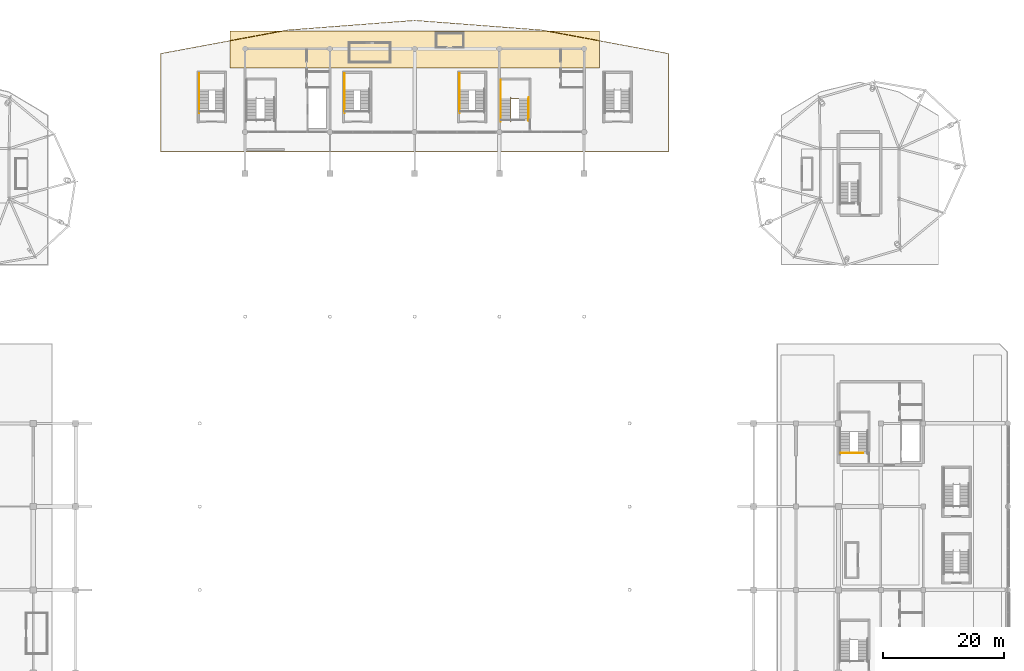
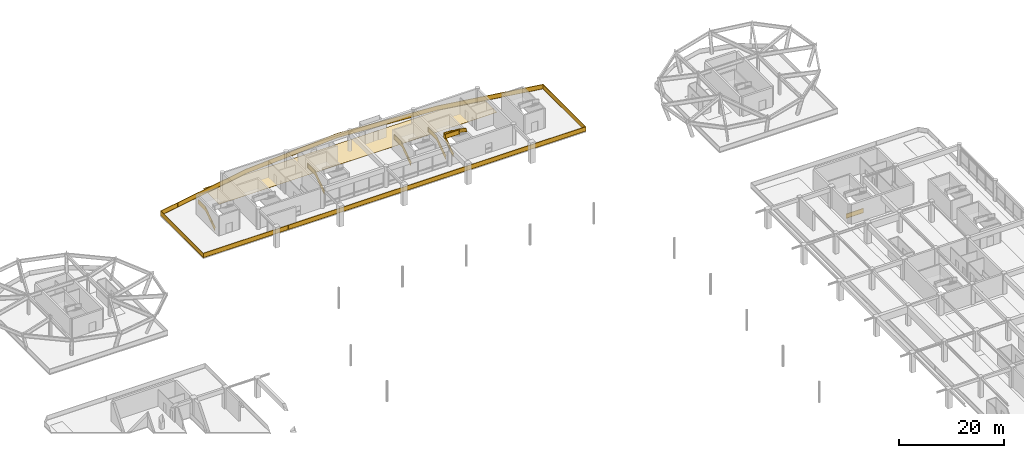
# One storey, part 89 of 91: 8 railings, 1 covering.
"""IFC4 building model written with IfcOpenShell, lengths in metres."""

from ifc_helpers import new_model, si_unit, direction, frame, origin, origin_2d, place, context, subcontext, project, spatial, polyline, rectangle, outline, extrude, material, layer, layer_set, type_object, element, save


model = new_model("IFC4")

# Units and contexts
model_context = context("Model", 3, precision=1e-05, world=origin(), true_north=direction((0.0, 1.0)))
body_context = subcontext(model_context, "Body", "Model", "MODEL_VIEW")
ifc_project = project(units=[si_unit("LENGTHUNIT", "METRE"), si_unit("AREAUNIT", "SQUARE_METRE"), si_unit("VOLUMEUNIT", "CUBIC_METRE"), si_unit("PLANEANGLEUNIT", "RADIAN"), si_unit("MASSUNIT", "GRAM", prefix="KILO")], contexts=[model_context])

# Site, building, storey
site_placement = place(None, origin())
site = spatial("IfcSite", under=ifc_project, at=site_placement, CompositionType="ELEMENT")
building_placement = place(site_placement, origin())
building = spatial("IfcBuilding", under=site, at=building_placement, Name="Linyun Crest Stadium", CompositionType="ELEMENT")
storey_placement = place(building_placement, frame((0.0, 0.0, 11.39990234375)))
storey = spatial("IfcBuildingStorey", under=building, at=storey_placement, Name="L03", CompositionType="ELEMENT", Elevation=11.39990234375)

# Covering
ifc_material_1 = material(Name="Terrazzo concourse and hospitality floor finish")
ifc_layer = layer(ifc_material_1, 0.02197265625)
ifc_layer_set = layer_set([ifc_layer], Name="Terrazzo concourse and hospitality floor finish")
covering_type = type_object("IfcCoveringType", Name="FLR02", PredefinedType="FLOORING", material=ifc_layer_set)
covering_placement = place(storey_placement, origin())
element("IfcCovering", 1, at=covering_placement, inside=storey, type_object=covering_type, Name="Terrazzo flooring FLR02 36", PredefinedType="FLOORING", context=body_context, shape_type="SweptSolid", body=[
    extrude(outline(polyline([(-30.5, 102.10009765625), (30.5, 102.10009765625), (30.5, 108.199951171875), (-30.5, 108.199951171875), (-30.5, 102.10009765625)])), origin(), (0.0, 0.0, 1.0), 0.022216796875),
])

# Railings
ifc_material_2 = material(Name="Galvanized and powder-coated steel bowl safety barrier", Category="steel")
railing_type_1 = type_object("IfcRailingType", Name="GR02", PredefinedType="GUARDRAIL", material=ifc_material_2)
railing_1_placement = place(storey_placement, frame((70.364990234375, 38.4599609375, 0.0)))
element("IfcRailing", 2, at=railing_1_placement, inside=storey, type_object=railing_type_1, Name="Slab edge balustrade GR02 154", PredefinedType="GUARDRAIL", context=body_context, shape_type="SweptSolid", body=[
    extrude(rectangle(XDim=0.06005859375, YDim=0.06005859375, at=origin_2d()), frame((0.0, 0.0, 1.090087890625), z_axis=(1.0, 0.0, 0.0), x_axis=(0.0, 1.0, 0.0)), (0.0, 0.0, 1.0), 3.735107421875),
    extrude(rectangle(XDim=0.030029296875, YDim=1.0, at=origin_2d()), frame((0.0, 0.0, 0.56005859375), z_axis=(1.0, 0.0, 0.0), x_axis=(0.0, 1.0, 0.0)), (0.0, 0.0, 1.0), 3.735107421875),
    extrude(rectangle(XDim=0.06005859375, YDim=0.06005859375, at=origin_2d()), frame((0.0, 0.0, 0.030029296875), z_axis=(1.0, 0.0, 0.0), x_axis=(0.0, 1.0, 0.0)), (0.0, 0.0, 1.0), 3.735107421875),
    extrude(rectangle(XDim=0.050048828125, YDim=0.050048828125, at=origin_2d()), origin(), (0.0, 0.0, 1.0), 1.1201171875),
    extrude(rectangle(XDim=0.050048828125, YDim=0.050048828125, at=origin_2d()), frame((3.735107421875, 0.0, 0.0)), (0.0, 0.0, 1.0), 1.1201171875),
])
railing_2_placement = place(storey_placement, frame((-41.93994140625, 88.260009765625, 0.0)))
element("IfcRailing", 3, at=railing_2_placement, inside=storey, type_object=railing_type_1, Name="Slab edge balustrade GR02 205", PredefinedType="GUARDRAIL", context=body_context, shape_type="SweptSolid", body=[
    extrude(rectangle(XDim=0.06005859375, YDim=0.06005859375, at=origin_2d()), frame((0.0, 0.0, 1.090087890625), z_axis=(0.0, 1.0, 0.0), x_axis=(-1.0, 0.0, 0.0)), (0.0, 0.0, 1.0), 16.18994140625),
    extrude(rectangle(XDim=0.030029296875, YDim=1.0, at=origin_2d()), frame((0.0, 0.0, 0.56005859375), z_axis=(0.0, 1.0, 0.0), x_axis=(-1.0, 0.0, 0.0)), (0.0, 0.0, 1.0), 16.18994140625),
    extrude(rectangle(XDim=0.06005859375, YDim=0.06005859375, at=origin_2d()), frame((0.0, 0.0, 0.030029296875), z_axis=(0.0, 1.0, 0.0), x_axis=(-1.0, 0.0, 0.0)), (0.0, 0.0, 1.0), 16.18994140625),
    extrude(rectangle(XDim=0.06005859375, YDim=0.06005859375, at=origin_2d()), frame((0.0, 16.18994140625, 1.090087890625), z_axis=(0.983190469869, 0.182582857789, 0.0), x_axis=(-0.182582857789, 0.983190469869, 0.0)), (0.0, 0.0, 1.0), 21.30615234375),
    extrude(rectangle(XDim=0.030029296875, YDim=1.0, at=origin_2d()), frame((0.0, 16.18994140625, 0.56005859375), z_axis=(0.983190469869, 0.182582857789, 0.0), x_axis=(-0.182582857789, 0.983190469869, 0.0)), (0.0, 0.0, 1.0), 21.30615234375),
    extrude(rectangle(XDim=0.06005859375, YDim=0.06005859375, at=origin_2d()), frame((0.0, 16.18994140625, 0.030029296875), z_axis=(0.983190469869, 0.182582857789, 0.0), x_axis=(-0.182582857789, 0.983190469869, 0.0)), (0.0, 0.0, 1.0), 21.30615234375),
    extrude(rectangle(XDim=0.06005859375, YDim=0.06005859375, at=origin_2d()), frame((20.947998046875, 20.080078125, 1.090087890625), z_axis=(0.997108399711, 0.075992362947, 0.0), x_axis=(-0.075992362947, 0.997108399711, 0.0)), (0.0, 0.0, 1.0), 21.052734375),
    extrude(rectangle(XDim=0.030029296875, YDim=1.0, at=origin_2d()), frame((20.947998046875, 20.080078125, 0.56005859375), z_axis=(0.997108399711, 0.075992362947, 0.0), x_axis=(-0.075992362947, 0.997108399711, 0.0)), (0.0, 0.0, 1.0), 21.052734375),
    extrude(rectangle(XDim=0.06005859375, YDim=0.06005859375, at=origin_2d()), frame((20.947998046875, 20.080078125, 0.030029296875), z_axis=(0.997108399711, 0.075992362947, 0.0), x_axis=(-0.075992362947, 0.997108399711, 0.0)), (0.0, 0.0, 1.0), 21.052734375),
    extrude(rectangle(XDim=0.06005859375, YDim=0.06005859375, at=origin_2d()), frame((41.93994140625, 21.679931640625, 1.090087890625), z_axis=(0.997108399711, -0.075992362947, 0.0), x_axis=(0.075992362947, 0.997108399711, 0.0)), (0.0, 0.0, 1.0), 21.052734375),
    extrude(rectangle(XDim=0.030029296875, YDim=1.0, at=origin_2d()), frame((41.93994140625, 21.679931640625, 0.56005859375), z_axis=(0.997108399711, -0.075992362947, 0.0), x_axis=(0.075992362947, 0.997108399711, 0.0)), (0.0, 0.0, 1.0), 21.052734375),
    extrude(rectangle(XDim=0.06005859375, YDim=0.06005859375, at=origin_2d()), frame((41.93994140625, 21.679931640625, 0.030029296875), z_axis=(0.997108399711, -0.075992362947, 0.0), x_axis=(0.075992362947, 0.997108399711, 0.0)), (0.0, 0.0, 1.0), 21.052734375),
    extrude(rectangle(XDim=0.06005859375, YDim=0.06005859375, at=origin_2d()), frame((62.931884765625, 20.080078125, 1.090087890625), z_axis=(0.983190469869, -0.182582857789, 0.0), x_axis=(0.182582857789, 0.983190469869, 0.0)), (0.0, 0.0, 1.0), 21.30615234375),
    extrude(rectangle(XDim=0.030029296875, YDim=1.0, at=origin_2d()), frame((62.931884765625, 20.080078125, 0.56005859375), z_axis=(0.983190469869, -0.182582857789, 0.0), x_axis=(0.182582857789, 0.983190469869, 0.0)), (0.0, 0.0, 1.0), 21.30615234375),
    extrude(rectangle(XDim=0.06005859375, YDim=0.06005859375, at=origin_2d()), frame((62.931884765625, 20.080078125, 0.030029296875), z_axis=(0.983190469869, -0.182582857789, 0.0), x_axis=(0.182582857789, 0.983190469869, 0.0)), (0.0, 0.0, 1.0), 21.30615234375),
    extrude(rectangle(XDim=0.06005859375, YDim=0.06005859375, at=origin_2d()), frame((83.8798828125, 16.18994140625, 1.090087890625), z_axis=(0.0, -1.0, 0.0), x_axis=(1.0, 0.0, 0.0)), (0.0, 0.0, 1.0), 16.18994140625),
    extrude(rectangle(XDim=0.030029296875, YDim=1.0, at=origin_2d()), frame((83.8798828125, 16.18994140625, 0.56005859375), z_axis=(0.0, -1.0, 0.0), x_axis=(1.0, 0.0, 0.0)), (0.0, 0.0, 1.0), 16.18994140625),
    extrude(rectangle(XDim=0.06005859375, YDim=0.06005859375, at=origin_2d()), frame((83.8798828125, 16.18994140625, 0.030029296875), z_axis=(0.0, -1.0, 0.0), x_axis=(1.0, 0.0, 0.0)), (0.0, 0.0, 1.0), 16.18994140625),
    extrude(rectangle(XDim=0.06005859375, YDim=0.06005859375, at=origin_2d()), frame((83.8798828125, 0.0, 1.090087890625), z_axis=(-1.0, 0.0, 0.0), x_axis=(0.0, -1.0, 0.0)), (0.0, 0.0, 1.0), 83.8798828125),
    extrude(rectangle(XDim=0.030029296875, YDim=1.0, at=origin_2d()), frame((83.8798828125, 0.0, 0.56005859375), z_axis=(-1.0, 0.0, 0.0), x_axis=(0.0, -1.0, 0.0)), (0.0, 0.0, 1.0), 83.8798828125),
    extrude(rectangle(XDim=0.06005859375, YDim=0.06005859375, at=origin_2d()), frame((83.8798828125, 0.0, 0.030029296875), z_axis=(-1.0, 0.0, 0.0), x_axis=(0.0, -1.0, 0.0)), (0.0, 0.0, 1.0), 83.8798828125),
    extrude(rectangle(XDim=0.050048828125, YDim=0.050048828125, at=origin_2d()), origin(), (0.0, 0.0, 1.0), 1.1201171875),
    extrude(rectangle(XDim=0.050048828125, YDim=0.050048828125, at=origin_2d()), frame((0.0, 4.04736328125, 0.0)), (0.0, 0.0, 1.0), 1.1201171875),
    extrude(rectangle(XDim=0.050048828125, YDim=0.050048828125, at=origin_2d()), frame((0.0, 8.094970703125, 0.0)), (0.0, 0.0, 1.0), 1.1201171875),
    extrude(rectangle(XDim=0.050048828125, YDim=0.050048828125, at=origin_2d()), frame((0.0, 12.142578125, 0.0)), (0.0, 0.0, 1.0), 1.1201171875),
    extrude(rectangle(XDim=0.050048828125, YDim=0.050048828125, at=origin_2d()), frame((0.0, 16.18994140625, 0.0)), (0.0, 0.0, 1.0), 1.1201171875),
    extrude(rectangle(XDim=0.050048828125, YDim=0.050048828125, at=origin_2d()), frame((4.189697265625, 16.968017578125, 0.0)), (0.0, 0.0, 1.0), 1.1201171875),
    extrude(rectangle(XDim=0.050048828125, YDim=0.050048828125, at=origin_2d()), frame((8.379150390625, 17.74609375, 0.0)), (0.0, 0.0, 1.0), 1.1201171875),
    extrude(rectangle(XDim=0.050048828125, YDim=0.050048828125, at=origin_2d()), frame((12.56884765625, 18.52392578125, 0.0)), (0.0, 0.0, 1.0), 1.1201171875),
    extrude(rectangle(XDim=0.050048828125, YDim=0.050048828125, at=origin_2d()), frame((16.75830078125, 19.302001953125, 0.0)), (0.0, 0.0, 1.0), 1.1201171875),
    extrude(rectangle(XDim=0.050048828125, YDim=0.050048828125, at=origin_2d()), frame((20.947998046875, 20.080078125, 0.0)), (0.0, 0.0, 1.0), 1.1201171875),
    extrude(rectangle(XDim=0.050048828125, YDim=0.050048828125, at=origin_2d()), frame((25.146484375, 20.400146484375, 0.0)), (0.0, 0.0, 1.0), 1.1201171875),
    extrude(rectangle(XDim=0.050048828125, YDim=0.050048828125, at=origin_2d()), frame((29.3447265625, 20.719970703125, 0.0)), (0.0, 0.0, 1.0), 1.1201171875),
    extrude(rectangle(XDim=0.050048828125, YDim=0.050048828125, at=origin_2d()), frame((33.543212890625, 21.0400390625, 0.0)), (0.0, 0.0, 1.0), 1.1201171875),
    extrude(rectangle(XDim=0.050048828125, YDim=0.050048828125, at=origin_2d()), frame((37.741455078125, 21.35986328125, 0.0)), (0.0, 0.0, 1.0), 1.1201171875),
    extrude(rectangle(XDim=0.050048828125, YDim=0.050048828125, at=origin_2d()), frame((41.93994140625, 21.679931640625, 0.0)), (0.0, 0.0, 1.0), 1.1201171875),
    extrude(rectangle(XDim=0.050048828125, YDim=0.050048828125, at=origin_2d()), frame((46.138427734375, 21.35986328125, 0.0)), (0.0, 0.0, 1.0), 1.1201171875),
    extrude(rectangle(XDim=0.050048828125, YDim=0.050048828125, at=origin_2d()), frame((50.336669921875, 21.0400390625, 0.0)), (0.0, 0.0, 1.0), 1.1201171875),
    extrude(rectangle(XDim=0.050048828125, YDim=0.050048828125, at=origin_2d()), frame((54.53515625, 20.719970703125, 0.0)), (0.0, 0.0, 1.0), 1.1201171875),
    extrude(rectangle(XDim=0.050048828125, YDim=0.050048828125, at=origin_2d()), frame((58.7333984375, 20.400146484375, 0.0)), (0.0, 0.0, 1.0), 1.1201171875),
    extrude(rectangle(XDim=0.050048828125, YDim=0.050048828125, at=origin_2d()), frame((62.931884765625, 20.080078125, 0.0)), (0.0, 0.0, 1.0), 1.1201171875),
    extrude(rectangle(XDim=0.050048828125, YDim=0.050048828125, at=origin_2d()), frame((67.12158203125, 19.302001953125, 0.0)), (0.0, 0.0, 1.0), 1.1201171875),
    extrude(rectangle(XDim=0.050048828125, YDim=0.050048828125, at=origin_2d()), frame((71.31103515625, 18.52392578125, 0.0)), (0.0, 0.0, 1.0), 1.1201171875),
    extrude(rectangle(XDim=0.050048828125, YDim=0.050048828125, at=origin_2d()), frame((75.500732421875, 17.74609375, 0.0)), (0.0, 0.0, 1.0), 1.1201171875),
    extrude(rectangle(XDim=0.050048828125, YDim=0.050048828125, at=origin_2d()), frame((79.690185546875, 16.968017578125, 0.0)), (0.0, 0.0, 1.0), 1.1201171875),
    extrude(rectangle(XDim=0.050048828125, YDim=0.050048828125, at=origin_2d()), frame((83.8798828125, 16.18994140625, 0.0)), (0.0, 0.0, 1.0), 1.1201171875),
    extrude(rectangle(XDim=0.050048828125, YDim=0.050048828125, at=origin_2d()), frame((83.8798828125, 12.142578125, 0.0)), (0.0, 0.0, 1.0), 1.1201171875),
    extrude(rectangle(XDim=0.050048828125, YDim=0.050048828125, at=origin_2d()), frame((83.8798828125, 8.094970703125, 0.0)), (0.0, 0.0, 1.0), 1.1201171875),
    extrude(rectangle(XDim=0.050048828125, YDim=0.050048828125, at=origin_2d()), frame((83.8798828125, 4.04736328125, 0.0)), (0.0, 0.0, 1.0), 1.1201171875),
    extrude(rectangle(XDim=0.050048828125, YDim=0.050048828125, at=origin_2d()), frame((83.8798828125, 0.0, 0.0)), (0.0, 0.0, 1.0), 1.1201171875),
    extrude(rectangle(XDim=0.050048828125, YDim=0.050048828125, at=origin_2d()), frame((79.219970703125, 0.0, 0.0)), (0.0, 0.0, 1.0), 1.1201171875),
    extrude(rectangle(XDim=0.050048828125, YDim=0.050048828125, at=origin_2d()), frame((74.559814453125, 0.0, 0.0)), (0.0, 0.0, 1.0), 1.1201171875),
    extrude(rectangle(XDim=0.050048828125, YDim=0.050048828125, at=origin_2d()), frame((69.89990234375, 0.0, 0.0)), (0.0, 0.0, 1.0), 1.1201171875),
    extrude(rectangle(XDim=0.050048828125, YDim=0.050048828125, at=origin_2d()), frame((65.239990234375, 0.0, 0.0)), (0.0, 0.0, 1.0), 1.1201171875),
    extrude(rectangle(XDim=0.050048828125, YDim=0.050048828125, at=origin_2d()), frame((60.579833984375, 0.0, 0.0)), (0.0, 0.0, 1.0), 1.1201171875),
    extrude(rectangle(XDim=0.050048828125, YDim=0.050048828125, at=origin_2d()), frame((55.919921875, 0.0, 0.0)), (0.0, 0.0, 1.0), 1.1201171875),
    extrude(rectangle(XDim=0.050048828125, YDim=0.050048828125, at=origin_2d()), frame((51.260009765625, 0.0, 0.0)), (0.0, 0.0, 1.0), 1.1201171875),
    extrude(rectangle(XDim=0.050048828125, YDim=0.050048828125, at=origin_2d()), frame((46.599853515625, 0.0, 0.0)), (0.0, 0.0, 1.0), 1.1201171875),
    extrude(rectangle(XDim=0.050048828125, YDim=0.050048828125, at=origin_2d()), frame((41.93994140625, 0.0, 0.0)), (0.0, 0.0, 1.0), 1.1201171875),
    extrude(rectangle(XDim=0.050048828125, YDim=0.050048828125, at=origin_2d()), frame((37.280029296875, 0.0, 0.0)), (0.0, 0.0, 1.0), 1.1201171875),
    extrude(rectangle(XDim=0.050048828125, YDim=0.050048828125, at=origin_2d()), frame((32.619873046875, 0.0, 0.0)), (0.0, 0.0, 1.0), 1.1201171875),
    extrude(rectangle(XDim=0.050048828125, YDim=0.050048828125, at=origin_2d()), frame((27.9599609375, 0.0, 0.0)), (0.0, 0.0, 1.0), 1.1201171875),
    extrude(rectangle(XDim=0.050048828125, YDim=0.050048828125, at=origin_2d()), frame((23.300048828125, 0.0, 0.0)), (0.0, 0.0, 1.0), 1.1201171875),
    extrude(rectangle(XDim=0.050048828125, YDim=0.050048828125, at=origin_2d()), frame((18.639892578125, 0.0, 0.0)), (0.0, 0.0, 1.0), 1.1201171875),
    extrude(rectangle(XDim=0.050048828125, YDim=0.050048828125, at=origin_2d()), frame((13.97998046875, 0.0, 0.0)), (0.0, 0.0, 1.0), 1.1201171875),
    extrude(rectangle(XDim=0.050048828125, YDim=0.050048828125, at=origin_2d()), frame((9.320068359375, 0.0, 0.0)), (0.0, 0.0, 1.0), 1.1201171875),
    extrude(rectangle(XDim=0.050048828125, YDim=0.050048828125, at=origin_2d()), frame((4.659912109375, 0.0, 0.0)), (0.0, 0.0, 1.0), 1.1201171875),
])
ifc_material_3 = material(Name="Painted steel stairwell safety guard", Category="steel")
railing_type_2 = type_object("IfcRailingType", Name="GR03", PredefinedType="GUARDRAIL", material=ifc_material_3)
railing_3_placement = place(storey_placement, frame((14.22998046875, 93.489990234375, 0.0)))
element("IfcRailing", 4, at=railing_3_placement, inside=storey, type_object=railing_type_2, Name="STR-08-L03 outer guard", PredefinedType="GUARDRAIL", context=body_context, shape_type="SweptSolid", body=[
    extrude(rectangle(XDim=0.06005859375, YDim=0.06005859375, at=origin_2d()), frame((0.0, 0.0, 1.090087890625), z_axis=(0.0, 0.824712752785, 0.565551832633), x_axis=(-1.0, 0.0, 0.0)), (0.0, 0.0, 1.0), 4.243896484375),
    extrude(rectangle(XDim=0.030029296875, YDim=1.0, at=origin_2d()), frame((0.0, 0.0, 0.56005859375), z_axis=(0.0, 0.824712752785, 0.565551832633), x_axis=(-1.0, 0.0, 0.0)), (0.0, 0.0, 1.0), 4.243896484375),
    extrude(rectangle(XDim=0.06005859375, YDim=0.06005859375, at=origin_2d()), frame((0.0, 0.0, 0.030029296875), z_axis=(0.0, 0.824712752785, 0.565551832633), x_axis=(-1.0, 0.0, 0.0)), (0.0, 0.0, 1.0), 4.243896484375),
    extrude(rectangle(XDim=0.06005859375, YDim=0.06005859375, at=origin_2d()), frame((0.0, 3.5, 3.490234375), z_axis=(0.0, 1.0, 0.0), x_axis=(-1.0, 0.0, 0.0)), (0.0, 0.0, 1.0), 3.080078125),
    extrude(rectangle(XDim=0.030029296875, YDim=1.0, at=origin_2d()), frame((0.0, 3.5, 2.960205078125), z_axis=(0.0, 1.0, 0.0), x_axis=(-1.0, 0.0, 0.0)), (0.0, 0.0, 1.0), 3.080078125),
    extrude(rectangle(XDim=0.06005859375, YDim=0.06005859375, at=origin_2d()), frame((0.0, 3.5, 2.43017578125), z_axis=(0.0, 1.0, 0.0), x_axis=(-1.0, 0.0, 0.0)), (0.0, 0.0, 1.0), 3.080078125),
    extrude(rectangle(XDim=0.050048828125, YDim=0.050048828125, at=origin_2d()), origin(), (0.0, 0.0, 1.0), 1.1201171875),
    extrude(rectangle(XDim=0.050048828125, YDim=0.050048828125, at=origin_2d()), frame((0.0, 1.166748046875, 0.800048828125)), (0.0, 0.0, 1.0), 1.1201171875),
    extrude(rectangle(XDim=0.050048828125, YDim=0.050048828125, at=origin_2d()), frame((0.0, 2.333251953125, 1.60009765625)), (0.0, 0.0, 1.0), 1.1201171875),
    extrude(rectangle(XDim=0.050048828125, YDim=0.050048828125, at=origin_2d()), frame((0.0, 3.5, 2.400146484375)), (0.0, 0.0, 1.0), 1.1201171875),
    extrude(rectangle(XDim=0.050048828125, YDim=0.050048828125, at=origin_2d()), frame((0.0, 5.0400390625, 2.400146484375)), (0.0, 0.0, 1.0), 1.1201171875),
    extrude(rectangle(XDim=0.050048828125, YDim=0.050048828125, at=origin_2d()), frame((0.0, 6.580078125, 2.400146484375)), (0.0, 0.0, 1.0), 1.1201171875),
])
railing_4_placement = place(storey_placement, frame((15.8701171875, 93.469970703125, 0.0)))
element("IfcRailing", 5, at=railing_4_placement, inside=storey, type_object=railing_type_2, Name="STR-08-L03 inner well guard", PredefinedType="GUARDRAIL", context=body_context, shape_type="SweptSolid", body=[
    extrude(rectangle(XDim=0.06005859375, YDim=0.06005859375, at=origin_2d()), frame((0.0, 0.0, 1.090087890625), z_axis=(0.0, 0.826212794201, 0.563358162005), x_axis=(-1.0, 0.0, 0.0)), (0.0, 0.0, 1.0), 4.260498046875),
    extrude(rectangle(XDim=0.030029296875, YDim=1.0, at=origin_2d()), frame((0.0, 0.0, 0.56005859375), z_axis=(0.0, 0.826212794201, 0.563358162005), x_axis=(-1.0, 0.0, 0.0)), (0.0, 0.0, 1.0), 4.260498046875),
    extrude(rectangle(XDim=0.06005859375, YDim=0.06005859375, at=origin_2d()), frame((0.0, 0.0, 0.030029296875), z_axis=(0.0, 0.826212794201, 0.563358162005), x_axis=(-1.0, 0.0, 0.0)), (0.0, 0.0, 1.0), 4.260498046875),
    extrude(rectangle(XDim=0.06005859375, YDim=0.06005859375, at=origin_2d()), frame((0.0, 3.52001953125, 3.490234375), z_axis=(1.0, 0.0, 0.0), x_axis=(0.0, 1.0, 0.0)), (0.0, 0.0, 1.0), 1.35986328125),
    extrude(rectangle(XDim=0.030029296875, YDim=1.0, at=origin_2d()), frame((0.0, 3.52001953125, 2.960205078125), z_axis=(1.0, 0.0, 0.0), x_axis=(0.0, 1.0, 0.0)), (0.0, 0.0, 1.0), 1.35986328125),
    extrude(rectangle(XDim=0.06005859375, YDim=0.06005859375, at=origin_2d()), frame((0.0, 3.52001953125, 2.43017578125), z_axis=(1.0, 0.0, 0.0), x_axis=(0.0, 1.0, 0.0)), (0.0, 0.0, 1.0), 1.35986328125),
    extrude(rectangle(XDim=0.06005859375, YDim=0.06005859375, at=origin_2d()), frame((1.35986328125, 3.52001953125, 3.490234375), z_axis=(0.0, -0.826239466617, 0.563319042644), x_axis=(1.0, 0.0, 0.0)), (0.0, 0.0, 1.0), 4.26025390625),
    extrude(rectangle(XDim=0.030029296875, YDim=1.0, at=origin_2d()), frame((1.35986328125, 3.52001953125, 2.960205078125), z_axis=(0.0, -0.826239466617, 0.563319042644), x_axis=(1.0, 0.0, 0.0)), (0.0, 0.0, 1.0), 4.26025390625),
    extrude(rectangle(XDim=0.06005859375, YDim=0.06005859375, at=origin_2d()), frame((1.35986328125, 3.52001953125, 2.43017578125), z_axis=(0.0, -0.826239466617, 0.563319042644), x_axis=(1.0, 0.0, 0.0)), (0.0, 0.0, 1.0), 4.26025390625),
    extrude(rectangle(XDim=0.06005859375, YDim=0.06005859375, at=origin_2d()), frame((1.35986328125, 0.0, 5.89013671875), z_axis=(-1.0, 0.0, 0.0), x_axis=(0.0, -1.0, 0.0)), (0.0, 0.0, 1.0), 3.010009765625),
    extrude(rectangle(XDim=0.030029296875, YDim=1.0, at=origin_2d()), frame((1.35986328125, 0.0, 5.360107421875), z_axis=(-1.0, 0.0, 0.0), x_axis=(0.0, -1.0, 0.0)), (0.0, 0.0, 1.0), 3.010009765625),
    extrude(rectangle(XDim=0.06005859375, YDim=0.06005859375, at=origin_2d()), frame((1.35986328125, 0.0, 4.830078125), z_axis=(-1.0, 0.0, 0.0), x_axis=(0.0, -1.0, 0.0)), (0.0, 0.0, 1.0), 3.010009765625),
    extrude(rectangle(XDim=0.050048828125, YDim=0.050048828125, at=origin_2d()), origin(), (0.0, 0.0, 1.0), 1.1201171875),
    extrude(rectangle(XDim=0.050048828125, YDim=0.050048828125, at=origin_2d()), frame((0.0, 1.17333984375, 0.800048828125)), (0.0, 0.0, 1.0), 1.1201171875),
    extrude(rectangle(XDim=0.050048828125, YDim=0.050048828125, at=origin_2d()), frame((0.0, 2.3466796875, 1.60009765625)), (0.0, 0.0, 1.0), 1.1201171875),
    extrude(rectangle(XDim=0.050048828125, YDim=0.050048828125, at=origin_2d()), frame((0.0, 3.52001953125, 2.400146484375)), (0.0, 0.0, 1.0), 1.1201171875),
    extrude(rectangle(XDim=0.050048828125, YDim=0.050048828125, at=origin_2d()), frame((1.35986328125, 3.52001953125, 2.400146484375)), (0.0, 0.0, 1.0), 1.1201171875),
    extrude(rectangle(XDim=0.050048828125, YDim=0.050048828125, at=origin_2d()), frame((1.35986328125, 2.3466796875, 3.2001953125)), (0.0, 0.0, 1.0), 1.1201171875),
    extrude(rectangle(XDim=0.050048828125, YDim=0.050048828125, at=origin_2d()), frame((1.35986328125, 1.17333984375, 4.0)), (0.0, 0.0, 1.0), 1.1201171875),
    extrude(rectangle(XDim=0.050048828125, YDim=0.050048828125, at=origin_2d()), frame((1.35986328125, 0.0, 4.800048828125)), (0.0, 0.0, 1.0), 1.1201171875),
    extrude(rectangle(XDim=0.050048828125, YDim=0.050048828125, at=origin_2d()), frame((-0.14501953125, 0.0, 4.800048828125)), (0.0, 0.0, 1.0), 1.1201171875),
    extrude(rectangle(XDim=0.050048828125, YDim=0.050048828125, at=origin_2d()), frame((-1.650146484375, 0.0, 4.800048828125)), (0.0, 0.0, 1.0), 1.1201171875),
])
railing_5_placement = place(storey_placement, frame((-35.570068359375, 94.919921875, 0.0)))
element("IfcRailing", 6, at=railing_5_placement, inside=storey, type_object=railing_type_2, Name="STR-23-L03 outer guard", PredefinedType="GUARDRAIL", context=body_context, shape_type="SweptSolid", body=[
    extrude(rectangle(XDim=0.06005859375, YDim=0.06005859375, at=origin_2d()), frame((0.0, 0.0, 1.090087890625), z_axis=(0.0, 0.824712752785, 0.565551832633), x_axis=(-1.0, 0.0, 0.0)), (0.0, 0.0, 1.0), 4.243896484375),
    extrude(rectangle(XDim=0.030029296875, YDim=1.0, at=origin_2d()), frame((0.0, 0.0, 0.56005859375), z_axis=(0.0, 0.824712752785, 0.565551832633), x_axis=(-1.0, 0.0, 0.0)), (0.0, 0.0, 1.0), 4.243896484375),
    extrude(rectangle(XDim=0.06005859375, YDim=0.06005859375, at=origin_2d()), frame((0.0, 0.0, 0.030029296875), z_axis=(0.0, 0.824712752785, 0.565551832633), x_axis=(-1.0, 0.0, 0.0)), (0.0, 0.0, 1.0), 4.243896484375),
    extrude(rectangle(XDim=0.06005859375, YDim=0.06005859375, at=origin_2d()), frame((0.0, 3.5, 3.490234375), z_axis=(0.0, 1.0, 0.0), x_axis=(-1.0, 0.0, 0.0)), (0.0, 0.0, 1.0), 2.75),
    extrude(rectangle(XDim=0.030029296875, YDim=1.0, at=origin_2d()), frame((0.0, 3.5, 2.960205078125), z_axis=(0.0, 1.0, 0.0), x_axis=(-1.0, 0.0, 0.0)), (0.0, 0.0, 1.0), 2.75),
    extrude(rectangle(XDim=0.06005859375, YDim=0.06005859375, at=origin_2d()), frame((0.0, 3.5, 2.43017578125), z_axis=(0.0, 1.0, 0.0), x_axis=(-1.0, 0.0, 0.0)), (0.0, 0.0, 1.0), 2.75),
    extrude(rectangle(XDim=0.050048828125, YDim=0.050048828125, at=origin_2d()), origin(), (0.0, 0.0, 1.0), 1.1201171875),
    extrude(rectangle(XDim=0.050048828125, YDim=0.050048828125, at=origin_2d()), frame((0.0, 1.166748046875, 0.800048828125)), (0.0, 0.0, 1.0), 1.1201171875),
    extrude(rectangle(XDim=0.050048828125, YDim=0.050048828125, at=origin_2d()), frame((0.0, 2.333251953125, 1.60009765625)), (0.0, 0.0, 1.0), 1.1201171875),
    extrude(rectangle(XDim=0.050048828125, YDim=0.050048828125, at=origin_2d()), frame((0.0, 3.5, 2.400146484375)), (0.0, 0.0, 1.0), 1.1201171875),
    extrude(rectangle(XDim=0.050048828125, YDim=0.050048828125, at=origin_2d()), frame((0.0, 4.875, 2.400146484375)), (0.0, 0.0, 1.0), 1.1201171875),
    extrude(rectangle(XDim=0.050048828125, YDim=0.050048828125, at=origin_2d()), frame((0.0, 6.25, 2.400146484375)), (0.0, 0.0, 1.0), 1.1201171875),
])
railing_6_placement = place(storey_placement, frame((-11.570068359375, 94.919921875, 0.0)))
element("IfcRailing", 7, at=railing_6_placement, inside=storey, type_object=railing_type_2, Name="STR-24-L03 outer guard", PredefinedType="GUARDRAIL", context=body_context, shape_type="SweptSolid", body=[
    extrude(rectangle(XDim=0.06005859375, YDim=0.06005859375, at=origin_2d()), frame((0.0, 0.0, 1.090087890625), z_axis=(0.0, 0.824712752785, 0.565551832633), x_axis=(-1.0, 0.0, 0.0)), (0.0, 0.0, 1.0), 4.243896484375),
    extrude(rectangle(XDim=0.030029296875, YDim=1.0, at=origin_2d()), frame((0.0, 0.0, 0.56005859375), z_axis=(0.0, 0.824712752785, 0.565551832633), x_axis=(-1.0, 0.0, 0.0)), (0.0, 0.0, 1.0), 4.243896484375),
    extrude(rectangle(XDim=0.06005859375, YDim=0.06005859375, at=origin_2d()), frame((0.0, 0.0, 0.030029296875), z_axis=(0.0, 0.824712752785, 0.565551832633), x_axis=(-1.0, 0.0, 0.0)), (0.0, 0.0, 1.0), 4.243896484375),
    extrude(rectangle(XDim=0.06005859375, YDim=0.06005859375, at=origin_2d()), frame((0.0, 3.5, 3.490234375), z_axis=(0.0, 1.0, 0.0), x_axis=(-1.0, 0.0, 0.0)), (0.0, 0.0, 1.0), 2.75),
    extrude(rectangle(XDim=0.030029296875, YDim=1.0, at=origin_2d()), frame((0.0, 3.5, 2.960205078125), z_axis=(0.0, 1.0, 0.0), x_axis=(-1.0, 0.0, 0.0)), (0.0, 0.0, 1.0), 2.75),
    extrude(rectangle(XDim=0.06005859375, YDim=0.06005859375, at=origin_2d()), frame((0.0, 3.5, 2.43017578125), z_axis=(0.0, 1.0, 0.0), x_axis=(-1.0, 0.0, 0.0)), (0.0, 0.0, 1.0), 2.75),
    extrude(rectangle(XDim=0.050048828125, YDim=0.050048828125, at=origin_2d()), origin(), (0.0, 0.0, 1.0), 1.1201171875),
    extrude(rectangle(XDim=0.050048828125, YDim=0.050048828125, at=origin_2d()), frame((0.0, 1.166748046875, 0.800048828125)), (0.0, 0.0, 1.0), 1.1201171875),
    extrude(rectangle(XDim=0.050048828125, YDim=0.050048828125, at=origin_2d()), frame((0.0, 2.333251953125, 1.60009765625)), (0.0, 0.0, 1.0), 1.1201171875),
    extrude(rectangle(XDim=0.050048828125, YDim=0.050048828125, at=origin_2d()), frame((0.0, 3.5, 2.400146484375)), (0.0, 0.0, 1.0), 1.1201171875),
    extrude(rectangle(XDim=0.050048828125, YDim=0.050048828125, at=origin_2d()), frame((0.0, 4.875, 2.400146484375)), (0.0, 0.0, 1.0), 1.1201171875),
    extrude(rectangle(XDim=0.050048828125, YDim=0.050048828125, at=origin_2d()), frame((0.0, 6.25, 2.400146484375)), (0.0, 0.0, 1.0), 1.1201171875),
])
railing_7_placement = place(storey_placement, frame((7.429931640625, 94.919921875, 0.0)))
element("IfcRailing", 8, at=railing_7_placement, inside=storey, type_object=railing_type_2, Name="STR-25-L03 outer guard", PredefinedType="GUARDRAIL", context=body_context, shape_type="SweptSolid", body=[
    extrude(rectangle(XDim=0.06005859375, YDim=0.06005859375, at=origin_2d()), frame((0.0, 0.0, 1.090087890625), z_axis=(0.0, 0.824712752785, 0.565551832633), x_axis=(-1.0, 0.0, 0.0)), (0.0, 0.0, 1.0), 4.243896484375),
    extrude(rectangle(XDim=0.030029296875, YDim=1.0, at=origin_2d()), frame((0.0, 0.0, 0.56005859375), z_axis=(0.0, 0.824712752785, 0.565551832633), x_axis=(-1.0, 0.0, 0.0)), (0.0, 0.0, 1.0), 4.243896484375),
    extrude(rectangle(XDim=0.06005859375, YDim=0.06005859375, at=origin_2d()), frame((0.0, 0.0, 0.030029296875), z_axis=(0.0, 0.824712752785, 0.565551832633), x_axis=(-1.0, 0.0, 0.0)), (0.0, 0.0, 1.0), 4.243896484375),
    extrude(rectangle(XDim=0.06005859375, YDim=0.06005859375, at=origin_2d()), frame((0.0, 3.5, 3.490234375), z_axis=(0.0, 1.0, 0.0), x_axis=(-1.0, 0.0, 0.0)), (0.0, 0.0, 1.0), 2.75),
    extrude(rectangle(XDim=0.030029296875, YDim=1.0, at=origin_2d()), frame((0.0, 3.5, 2.960205078125), z_axis=(0.0, 1.0, 0.0), x_axis=(-1.0, 0.0, 0.0)), (0.0, 0.0, 1.0), 2.75),
    extrude(rectangle(XDim=0.06005859375, YDim=0.06005859375, at=origin_2d()), frame((0.0, 3.5, 2.43017578125), z_axis=(0.0, 1.0, 0.0), x_axis=(-1.0, 0.0, 0.0)), (0.0, 0.0, 1.0), 2.75),
    extrude(rectangle(XDim=0.050048828125, YDim=0.050048828125, at=origin_2d()), origin(), (0.0, 0.0, 1.0), 1.1201171875),
    extrude(rectangle(XDim=0.050048828125, YDim=0.050048828125, at=origin_2d()), frame((0.0, 1.166748046875, 0.800048828125)), (0.0, 0.0, 1.0), 1.1201171875),
    extrude(rectangle(XDim=0.050048828125, YDim=0.050048828125, at=origin_2d()), frame((0.0, 2.333251953125, 1.60009765625)), (0.0, 0.0, 1.0), 1.1201171875),
    extrude(rectangle(XDim=0.050048828125, YDim=0.050048828125, at=origin_2d()), frame((0.0, 3.5, 2.400146484375)), (0.0, 0.0, 1.0), 1.1201171875),
    extrude(rectangle(XDim=0.050048828125, YDim=0.050048828125, at=origin_2d()), frame((0.0, 4.875, 2.400146484375)), (0.0, 0.0, 1.0), 1.1201171875),
    extrude(rectangle(XDim=0.050048828125, YDim=0.050048828125, at=origin_2d()), frame((0.0, 6.25, 2.400146484375)), (0.0, 0.0, 1.0), 1.1201171875),
])
ifc_material_4 = material(Name="Brushed stainless steel tubular handrail", Category="steel")
railing_type_3 = type_object("IfcRailingType", Name="HR01", PredefinedType="HANDRAIL", material=ifc_material_4)
railing_8_placement = place(storey_placement, frame((18.820068359375, 96.989990234375, 2.400146484375)))
element("IfcRailing", 9, at=railing_8_placement, inside=storey, type_object=railing_type_3, Name="STR-08-L03 handrail", PredefinedType="HANDRAIL", context=body_context, shape_type="SweptSolid", body=[
    extrude(rectangle(XDim=0.06005859375, YDim=0.06005859375, at=origin_2d()), frame((0.0, 0.0, 0.889892578125), z_axis=(0.0, -0.824739584531, 0.5655127034), x_axis=(1.0, 0.0, 0.0)), (0.0, 0.0, 1.0), 4.24365234375),
    extrude(rectangle(XDim=0.030029296875, YDim=0.7998046875, at=origin_2d()), frame((0.0, 0.0, 0.4599609375), z_axis=(0.0, -0.824739584531, 0.5655127034), x_axis=(1.0, 0.0, 0.0)), (0.0, 0.0, 1.0), 4.24365234375),
    extrude(rectangle(XDim=0.06005859375, YDim=0.06005859375, at=origin_2d()), frame((0.0, 0.0, 0.030029296875), z_axis=(0.0, -0.824739584531, 0.5655127034), x_axis=(1.0, 0.0, 0.0)), (0.0, 0.0, 1.0), 4.24365234375),
    extrude(rectangle(XDim=0.050048828125, YDim=0.050048828125, at=origin_2d()), origin(), (0.0, 0.0, 1.0), 0.919921875),
    extrude(rectangle(XDim=0.050048828125, YDim=0.050048828125, at=origin_2d()), frame((0.0, -1.75, 1.199951171875)), (0.0, 0.0, 1.0), 0.919921875),
    extrude(rectangle(XDim=0.050048828125, YDim=0.050048828125, at=origin_2d()), frame((0.0, -3.5, 2.39990234375)), (0.0, 0.0, 1.0), 0.919921875),
])

save(model, "model.ifc")
